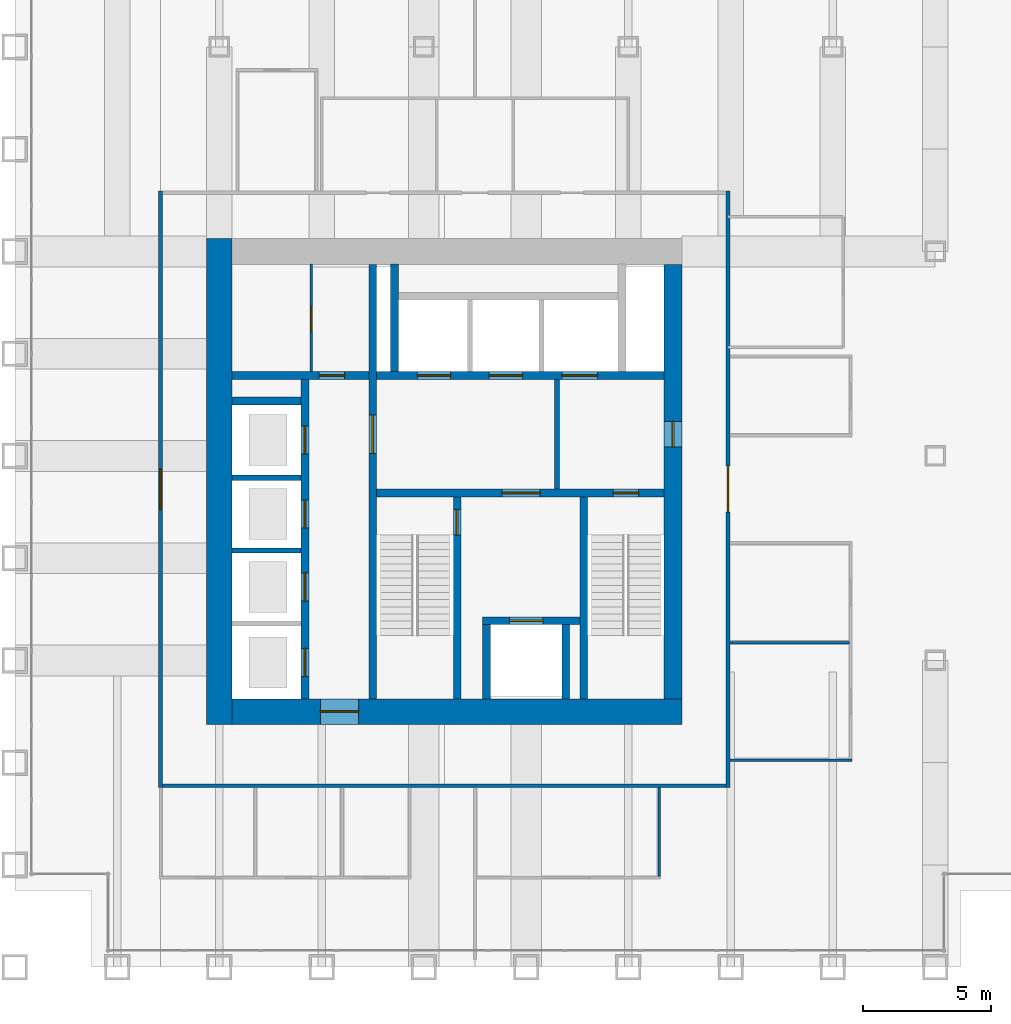
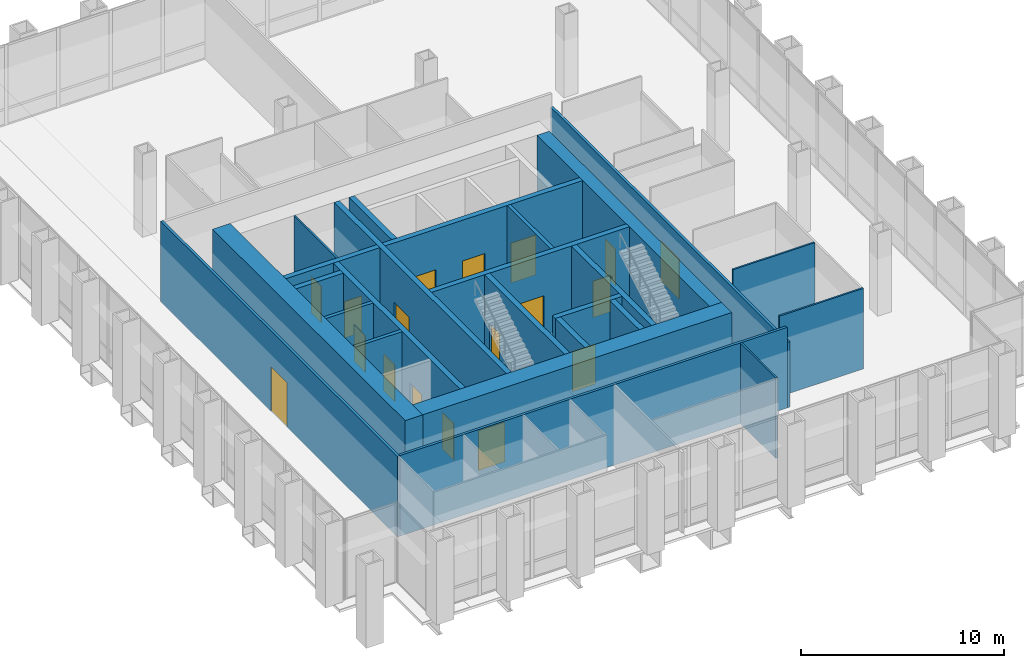
# One storey, part 10 of 13: 25 walls, 18 doors, 18 openings.
"""IFC4 building model written with IfcOpenShell, lengths in metres."""

from ifc_helpers import new_model, si_unit, direction, frame, frame_2d, origin, place, context, subcontext, project, spatial, rectangle, extrude, material, layer, layer_set, type_object, element, fill, save


model = new_model("IFC4")

# Units and contexts
model_context = context("Model", 3, precision=1e-05, world=origin(), true_north=direction((0.0, 1.0)))
body_context = subcontext(model_context, "Body", "Model", "MODEL_VIEW")
ifc_project = project(units=[si_unit("LENGTHUNIT", "METRE"), si_unit("AREAUNIT", "SQUARE_METRE"), si_unit("VOLUMEUNIT", "CUBIC_METRE"), si_unit("PLANEANGLEUNIT", "RADIAN"), si_unit("MASSUNIT", "GRAM", prefix="KILO")], contexts=[model_context])

# Site, building, storey
site_placement = place(None, origin())
site = spatial("IfcSite", under=ifc_project, at=site_placement, CompositionType="ELEMENT")
building_placement = place(site_placement, origin())
building = spatial("IfcBuilding", under=site, at=building_placement, Name="Rimbunsela Tower", CompositionType="ELEMENT")
storey_placement = place(building_placement, frame((0.0, 0.0, 209.199951171875)))
storey = spatial("IfcBuildingStorey", under=building, at=storey_placement, Name="L50", CompositionType="ELEMENT", Elevation=209.199951171875)

# Wall, opening, door
ifc_material_1 = material(Name="Concrete fc' 80 MPa", Category="concrete")
ifc_layer_1 = layer(ifc_material_1, 0.300048828125)
ifc_layer_set_1 = layer_set([ifc_layer_1], Name="Core internal wall 300")
wall_type_1 = type_object("IfcWallType", Name="Core internal wall 300", PredefinedType="SHEAR", material=ifc_layer_set_1)
wall_1_placement = place(storey_placement, frame((24.0, 18.5, -0.14990234375), z_axis=(0.0, 0.0, 1.0), x_axis=(0.0, 1.0, 0.0)))
wall_1 = element("IfcWall", 1, at=wall_1_placement, inside=storey, type_object=wall_type_1, Name="Core wall at stair A", PredefinedType="SHEAR", context=body_context, shape_type="SweptSolid", body=[
    extrude(rectangle(XDim=17.0, YDim=0.300048828125, at=frame_2d((8.5, 0.0))), origin(), (0.0, 0.0, 1.0), 5.0),
])
opening_1_placement = place(wall_1_placement, frame((9.60009765625, 0.0, 0.14990234375)))
opening_1 = element("IfcOpeningElement", 2, at=opening_1_placement, cuts=wall_1, Name="Opening D03", PredefinedType="OPENING", context=body_context, shape_type="SweptSolid", body=[
    extrude(rectangle(XDim=1.5, YDim=2.39990234375, at=frame_2d((0.75, 1.199951171875))), frame((0.0, 0.159912109375, 0.0), z_axis=(0.0, -1.0, 0.0), x_axis=(1.0, 0.0, 0.0)), (0.0, 0.0, 1.0), 0.320068359375),
])
ifc_material_2 = material(Name="Steel door, fire rated", Category="steel")
door_type_1 = type_object("IfcDoorType", Name="Core lobby door 1500", OperationType="DOUBLE_DOOR_DOUBLE_SWING", PredefinedType="DOOR", material=ifc_material_2)
door_1_placement = place(opening_1_placement, origin())
door_1 = element("IfcDoor", 3, at=door_1_placement, inside=storey, type_object=door_type_1, Name="West lobby door", OperationType="DOUBLE_DOOR_DOUBLE_SWING", OverallHeight=2.39990234375, OverallWidth=1.5, PredefinedType="DOOR", context=body_context, shape_type="SweptSolid", body=[
    extrude(rectangle(XDim=1.5, YDim=2.39990234375, at=frame_2d((0.75, 1.199951171875))), frame((0.0, 0.02490234375, 0.0), z_axis=(0.0, -1.0, 0.0), x_axis=(1.0, 0.0, 0.0)), (0.0, 0.0, 1.0), 0.050048828125),
])
fill(opening_1, door_1)

# Wall, openings, doors
wall_2_placement = place(storey_placement, frame((24.14990234375, 26.550048828125, -0.14990234375), z_axis=(0.0, 0.0, 1.0), x_axis=(1.0, 0.0, 0.0)))
wall_2 = element("IfcWall", 4, at=wall_2_placement, inside=storey, type_object=wall_type_1, Name="Core wall lobby south", PredefinedType="SHEAR", context=body_context, shape_type="SweptSolid", body=[
    extrude(rectangle(XDim=11.25, YDim=0.300048828125, at=frame_2d((5.625, 0.0))), origin(), (0.0, 0.0, 1.0), 5.0),
])
opening_2_placement = place(wall_2_placement, frame((9.25, 0.0, 0.14990234375)))
opening_2 = element("IfcOpeningElement", 5, at=opening_2_placement, cuts=wall_2, Name="Opening D01", PredefinedType="OPENING", context=body_context, shape_type="SweptSolid", body=[
    extrude(rectangle(XDim=1.0, YDim=2.199951171875, at=frame_2d((0.5, 1.10009765625))), frame((0.0, 0.159912109375, 0.0), z_axis=(0.0, -1.0, 0.0), x_axis=(1.0, 0.0, 0.0)), (0.0, 0.0, 1.0), 0.320068359375),
])
opening_3_placement = place(wall_2_placement, frame((4.89990234375, 0.0, 0.14990234375)))
opening_3 = element("IfcOpeningElement", 6, at=opening_3_placement, cuts=wall_2, Name="Opening D03", PredefinedType="OPENING", context=body_context, shape_type="SweptSolid", body=[
    extrude(rectangle(XDim=1.5, YDim=2.39990234375, at=frame_2d((0.75, 1.199951171875))), frame((0.0, 0.159912109375, 0.0), z_axis=(0.0, -1.0, 0.0), x_axis=(1.0, 0.0, 0.0)), (0.0, 0.0, 1.0), 0.320068359375),
])
door_2_placement = place(opening_3_placement, origin())
door_2 = element("IfcDoor", 7, at=door_2_placement, inside=storey, type_object=door_type_1, Name="Firefighting lobby door", OperationType="DOUBLE_DOOR_DOUBLE_SWING", OverallHeight=2.39990234375, OverallWidth=1.5, PredefinedType="DOOR", context=body_context, shape_type="SweptSolid", body=[
    extrude(rectangle(XDim=1.5, YDim=2.39990234375, at=frame_2d((0.75, 1.199951171875))), frame((0.0, 0.02490234375, 0.0), z_axis=(0.0, -1.0, 0.0), x_axis=(1.0, 0.0, 0.0)), (0.0, 0.0, 1.0), 0.050048828125),
])
fill(opening_3, door_2)
ifc_material_3 = material(Name="Steel door, fire rated", Category="steel")
door_type_2 = type_object("IfcDoorType", Name="Stair door 1000", OperationType="SINGLE_SWING_RIGHT", PredefinedType="DOOR", material=ifc_material_3)
door_3_placement = place(opening_2_placement, frame((1.0, 0.0, 0.0), z_axis=(0.0, 0.0, 1.0), x_axis=(-1.0, 0.0, 0.0)))
door_3 = element("IfcDoor", 8, at=door_3_placement, inside=storey, type_object=door_type_2, Name="Stair B door", OperationType="SINGLE_SWING_RIGHT", OverallHeight=2.199951171875, OverallWidth=1.0, PredefinedType="DOOR", context=body_context, shape_type="SweptSolid", body=[
    extrude(rectangle(XDim=1.0, YDim=2.199951171875, at=frame_2d((0.5, 1.10009765625))), frame((0.0, 0.02490234375, 0.0), z_axis=(0.0, -1.0, 0.0), x_axis=(1.0, 0.0, 0.0)), (0.0, 0.0, 1.0), 0.050048828125),
])
fill(opening_2, door_3)

# Wall, opening, door
wall_3_placement = place(storey_placement, frame((27.300048828125, 18.5, -0.14990234375), z_axis=(0.0, 0.0, 1.0), x_axis=(0.0, 1.0, 0.0)))
wall_3 = element("IfcWall", 9, at=wall_3_placement, inside=storey, type_object=wall_type_1, Name="Stair A enclosure", PredefinedType="SHEAR", context=body_context, shape_type="SweptSolid", body=[
    extrude(rectangle(XDim=7.89990234375, YDim=0.300048828125, at=frame_2d((3.949951171875, 0.0))), origin(), (0.0, 0.0, 1.0), 5.0),
])
opening_4_placement = place(wall_3_placement, frame((6.39990234375, 0.0, 0.14990234375)))
opening_4 = element("IfcOpeningElement", 10, at=opening_4_placement, cuts=wall_3, Name="Opening D01", PredefinedType="OPENING", context=body_context, shape_type="SweptSolid", body=[
    extrude(rectangle(XDim=1.0, YDim=2.199951171875, at=frame_2d((0.5, 1.10009765625))), frame((0.0, 0.159912109375, 0.0), z_axis=(0.0, -1.0, 0.0), x_axis=(1.0, 0.0, 0.0)), (0.0, 0.0, 1.0), 0.320068359375),
])
door_4_placement = place(opening_4_placement, origin())
door_4 = element("IfcDoor", 11, at=door_4_placement, inside=storey, type_object=door_type_2, Name="Stair A door", OperationType="SINGLE_SWING_RIGHT", OverallHeight=2.199951171875, OverallWidth=1.0, PredefinedType="DOOR", context=body_context, shape_type="SweptSolid", body=[
    extrude(rectangle(XDim=1.0, YDim=2.199951171875, at=frame_2d((0.5, 1.10009765625))), frame((0.0, 0.02490234375, 0.0), z_axis=(0.0, -1.0, 0.0), x_axis=(1.0, 0.0, 0.0)), (0.0, 0.0, 1.0), 0.050048828125),
])
fill(opening_4, door_4)

# Walls
wall_4_placement = place(storey_placement, frame((32.25, 18.5, -0.14990234375), z_axis=(0.0, 0.0, 1.0), x_axis=(0.0, 1.0, 0.0)))
element("IfcWall", 12, at=wall_4_placement, inside=storey, type_object=wall_type_1, Name="Stair B enclosure", PredefinedType="SHEAR", context=body_context, shape_type="SweptSolid", body=[
    extrude(rectangle(XDim=7.89990234375, YDim=0.300048828125, at=frame_2d((3.949951171875, 0.0))), origin(), (0.0, 0.0, 1.0), 5.0),
])
for number, where, z_axis, x_axis, name in (
    (13, (28.449951171875, 18.5, -0.14990234375), (0.0, 0.0, 1.0), (0.0, 1.0, 0.0), "Firefighting lift shaft west"),
    (14, (31.550048828125, 18.5, -0.14990234375), (0.0, 0.0, 1.0), (0.0, 1.0, 0.0), "Firefighting lift shaft east"),
):
    element("IfcWall", number, at=place(storey_placement, frame(where, z_axis=z_axis, x_axis=x_axis)), inside=storey, type_object=wall_type_1, Name=name, PredefinedType="SHEAR", context=body_context, shape_type="SweptSolid", body=[
        extrude(rectangle(XDim=2.89990234375, YDim=0.300048828125, at=frame_2d((1.449951171875, 0.0))), origin(), (0.0, 0.0, 1.0), 5.0),
    ])

# Wall, opening, door
wall_5_placement = place(storey_placement, frame((28.300048828125, 21.550048828125, -0.14990234375), z_axis=(0.0, 0.0, 1.0), x_axis=(1.0, 0.0, 0.0)))
wall_5 = element("IfcWall", 15, at=wall_5_placement, inside=storey, type_object=wall_type_1, Name="Firefighting lift shaft front", PredefinedType="SHEAR", context=body_context, shape_type="SweptSolid", body=[
    extrude(rectangle(XDim=3.800048828125, YDim=0.300048828125, at=frame_2d((1.89990234375, 0.0))), origin(), (0.0, 0.0, 1.0), 5.0),
])
opening_5_placement = place(wall_5_placement, frame((1.050048828125, 0.0, 0.14990234375)))
opening_5 = element("IfcOpeningElement", 16, at=opening_5_placement, cuts=wall_5, Name="Opening LD2", PredefinedType="OPENING", context=body_context, shape_type="SweptSolid", body=[
    extrude(rectangle(XDim=1.300048828125, YDim=2.39990234375, at=frame_2d((0.64990234375, 1.199951171875))), frame((0.0, 0.159912109375, 0.0), z_axis=(0.0, -1.0, 0.0), x_axis=(1.0, 0.0, 0.0)), (0.0, 0.0, 1.0), 0.320068359375),
])
ifc_material_4 = material(Name="Steel door, fire rated", Category="steel")
door_type_3 = type_object("IfcDoorType", Name="Lift landing door 1300", OperationType="DOUBLE_DOOR_SLIDING", PredefinedType="DOOR", material=ifc_material_4)
door_5_placement = place(opening_5_placement, origin())
door_5 = element("IfcDoor", 17, at=door_5_placement, inside=storey, type_object=door_type_3, Name="Lift landing door FL1", OperationType="DOUBLE_DOOR_SLIDING", OverallHeight=2.39990234375, OverallWidth=1.300048828125, PredefinedType="DOOR", context=body_context, shape_type="SweptSolid", body=[
    extrude(rectangle(XDim=1.300048828125, YDim=2.39990234375, at=frame_2d((0.64990234375, 1.199951171875))), frame((0.0, 0.02490234375, 0.0), z_axis=(0.0, -1.0, 0.0), x_axis=(1.0, 0.0, 0.0)), (0.0, 0.0, 1.0), 0.050048828125),
])
fill(opening_5, door_5)

# Wall, openings, doors
wall_6_placement = place(storey_placement, frame((24.14990234375, 31.14990234375, -0.14990234375), z_axis=(0.0, 0.0, 1.0), x_axis=(1.0, 0.0, 0.0)))
wall_6 = element("IfcWall", 18, at=wall_6_placement, inside=storey, type_object=wall_type_1, Name="Lift shaft front north", PredefinedType="SHEAR", context=body_context, shape_type="SweptSolid", body=[
    extrude(rectangle(XDim=11.25, YDim=0.300048828125, at=frame_2d((5.625, 0.0))), origin(), (0.0, 0.0, 1.0), 5.0),
])
opening_6_placement = place(wall_6_placement, frame((1.60009765625, 0.0, 0.14990234375)))
opening_6 = element("IfcOpeningElement", 19, at=opening_6_placement, cuts=wall_6, Name="Opening LD2", PredefinedType="OPENING", context=body_context, shape_type="SweptSolid", body=[
    extrude(rectangle(XDim=1.300048828125, YDim=2.39990234375, at=frame_2d((0.64990234375, 1.199951171875))), frame((0.0, 0.159912109375, 0.0), z_axis=(0.0, -1.0, 0.0), x_axis=(1.0, 0.0, 0.0)), (0.0, 0.0, 1.0), 0.320068359375),
])
opening_7_placement = place(wall_6_placement, frame((4.39990234375, 0.0, 0.14990234375)))
opening_7 = element("IfcOpeningElement", 20, at=opening_7_placement, cuts=wall_6, Name="Opening LD2", PredefinedType="OPENING", context=body_context, shape_type="SweptSolid", body=[
    extrude(rectangle(XDim=1.300048828125, YDim=2.39990234375, at=frame_2d((0.64990234375, 1.199951171875))), frame((0.0, 0.159912109375, 0.0), z_axis=(0.0, -1.0, 0.0), x_axis=(1.0, 0.0, 0.0)), (0.0, 0.0, 1.0), 0.320068359375),
])
opening_8_placement = place(wall_6_placement, frame((7.25, 0.0, 0.14990234375)))
opening_8 = element("IfcOpeningElement", 21, at=opening_8_placement, cuts=wall_6, Name="Opening LD3", PredefinedType="OPENING", context=body_context, shape_type="SweptSolid", body=[
    extrude(rectangle(XDim=1.39990234375, YDim=2.39990234375, at=frame_2d((0.699951171875, 1.199951171875))), frame((0.0, 0.159912109375, 0.0), z_axis=(0.0, -1.0, 0.0), x_axis=(1.0, 0.0, 0.0)), (0.0, 0.0, 1.0), 0.320068359375),
])
door_6_placement = place(opening_6_placement, origin())
door_6 = element("IfcDoor", 22, at=door_6_placement, inside=storey, type_object=door_type_3, Name="Lift landing door SH1", OperationType="DOUBLE_DOOR_SLIDING", OverallHeight=2.39990234375, OverallWidth=1.300048828125, PredefinedType="DOOR", context=body_context, shape_type="SweptSolid", body=[
    extrude(rectangle(XDim=1.300048828125, YDim=2.39990234375, at=frame_2d((0.64990234375, 1.199951171875))), frame((0.0, 0.02490234375, 0.0), z_axis=(0.0, -1.0, 0.0), x_axis=(1.0, 0.0, 0.0)), (0.0, 0.0, 1.0), 0.050048828125),
])
fill(opening_6, door_6)
door_7_placement = place(opening_7_placement, origin())
door_7 = element("IfcDoor", 23, at=door_7_placement, inside=storey, type_object=door_type_3, Name="Lift landing door SH2", OperationType="DOUBLE_DOOR_SLIDING", OverallHeight=2.39990234375, OverallWidth=1.300048828125, PredefinedType="DOOR", context=body_context, shape_type="SweptSolid", body=[
    extrude(rectangle(XDim=1.300048828125, YDim=2.39990234375, at=frame_2d((0.64990234375, 1.199951171875))), frame((0.0, 0.02490234375, 0.0), z_axis=(0.0, -1.0, 0.0), x_axis=(1.0, 0.0, 0.0)), (0.0, 0.0, 1.0), 0.050048828125),
])
fill(opening_7, door_7)
ifc_material_5 = material(Name="Steel door, fire rated", Category="steel")
door_type_4 = type_object("IfcDoorType", Name="Lift landing door 1400", OperationType="DOUBLE_DOOR_SLIDING", PredefinedType="DOOR", material=ifc_material_5)
door_8_placement = place(opening_8_placement, origin())
door_8 = element("IfcDoor", 24, at=door_8_placement, inside=storey, type_object=door_type_4, Name="Lift landing door FL2", OperationType="DOUBLE_DOOR_SLIDING", OverallHeight=2.39990234375, OverallWidth=1.39990234375, PredefinedType="DOOR", context=body_context, shape_type="SweptSolid", body=[
    extrude(rectangle(XDim=1.39990234375, YDim=2.39990234375, at=frame_2d((0.699951171875, 1.199951171875))), frame((0.0, 0.02490234375, 0.0), z_axis=(0.0, -1.0, 0.0), x_axis=(1.0, 0.0, 0.0)), (0.0, 0.0, 1.0), 0.050048828125),
])
fill(opening_8, door_8)

wall_7_placement = place(storey_placement, frame((21.35009765625, 18.5, -0.14990234375), z_axis=(0.0, 0.0, 1.0), x_axis=(0.0, 1.0, 0.0)))
wall_7 = element("IfcWall", 25, at=wall_7_placement, inside=storey, type_object=wall_type_1, Name="Lift shaft front west", PredefinedType="SHEAR", context=body_context, shape_type="SweptSolid", body=[
    extrude(rectangle(XDim=12.5, YDim=0.300048828125, at=frame_2d((6.25, 0.0))), origin(), (0.0, 0.0, 1.0), 5.0),
])
opening_9_placement = place(wall_7_placement, frame((0.875, 0.0, 0.14990234375)))
opening_9 = element("IfcOpeningElement", 26, at=opening_9_placement, cuts=wall_7, Name="Opening LD1", PredefinedType="OPENING", context=body_context, shape_type="SweptSolid", body=[
    extrude(rectangle(XDim=1.10009765625, YDim=2.199951171875, at=frame_2d((0.550048828125, 1.10009765625))), frame((0.0, 0.159912109375, 0.0), z_axis=(0.0, -1.0, 0.0), x_axis=(1.0, 0.0, 0.0)), (0.0, 0.0, 1.0), 0.320068359375),
])
opening_10_placement = place(wall_7_placement, frame((3.824951171875, 0.0, 0.14990234375)))
opening_10 = element("IfcOpeningElement", 27, at=opening_10_placement, cuts=wall_7, Name="Opening LD1", PredefinedType="OPENING", context=body_context, shape_type="SweptSolid", body=[
    extrude(rectangle(XDim=1.10009765625, YDim=2.199951171875, at=frame_2d((0.550048828125, 1.10009765625))), frame((0.0, 0.159912109375, 0.0), z_axis=(0.0, -1.0, 0.0), x_axis=(1.0, 0.0, 0.0)), (0.0, 0.0, 1.0), 0.320068359375),
])
opening_11_placement = place(wall_7_placement, frame((6.675048828125, 0.0, 0.14990234375)))
opening_11 = element("IfcOpeningElement", 28, at=opening_11_placement, cuts=wall_7, Name="Opening LD1", PredefinedType="OPENING", context=body_context, shape_type="SweptSolid", body=[
    extrude(rectangle(XDim=1.10009765625, YDim=2.199951171875, at=frame_2d((0.550048828125, 1.10009765625))), frame((0.0, 0.159912109375, 0.0), z_axis=(0.0, -1.0, 0.0), x_axis=(1.0, 0.0, 0.0)), (0.0, 0.0, 1.0), 0.320068359375),
])
opening_12_placement = place(wall_7_placement, frame((9.574951171875, 0.0, 0.14990234375)))
opening_12 = element("IfcOpeningElement", 29, at=opening_12_placement, cuts=wall_7, Name="Opening LD1", PredefinedType="OPENING", context=body_context, shape_type="SweptSolid", body=[
    extrude(rectangle(XDim=1.10009765625, YDim=2.199951171875, at=frame_2d((0.550048828125, 1.10009765625))), frame((0.0, 0.159912109375, 0.0), z_axis=(0.0, -1.0, 0.0), x_axis=(1.0, 0.0, 0.0)), (0.0, 0.0, 1.0), 0.320068359375),
])
ifc_material_6 = material(Name="Steel door, fire rated", Category="steel")
door_type_5 = type_object("IfcDoorType", Name="Lift landing door 1100", OperationType="DOUBLE_DOOR_SLIDING", PredefinedType="DOOR", material=ifc_material_6)
door_9_placement = place(opening_9_placement, origin())
door_9 = element("IfcDoor", 30, at=door_9_placement, inside=storey, type_object=door_type_5, Name="Lift landing door TL1", OperationType="DOUBLE_DOOR_SLIDING", OverallHeight=2.199951171875, OverallWidth=1.10009765625, PredefinedType="DOOR", context=body_context, shape_type="SweptSolid", body=[
    extrude(rectangle(XDim=1.10009765625, YDim=2.199951171875, at=frame_2d((0.550048828125, 1.10009765625))), frame((0.0, 0.02490234375, 0.0), z_axis=(0.0, -1.0, 0.0), x_axis=(1.0, 0.0, 0.0)), (0.0, 0.0, 1.0), 0.050048828125),
])
fill(opening_9, door_9)
door_10_placement = place(opening_10_placement, origin())
door_10 = element("IfcDoor", 31, at=door_10_placement, inside=storey, type_object=door_type_5, Name="Lift landing door TL2", OperationType="DOUBLE_DOOR_SLIDING", OverallHeight=2.199951171875, OverallWidth=1.10009765625, PredefinedType="DOOR", context=body_context, shape_type="SweptSolid", body=[
    extrude(rectangle(XDim=1.10009765625, YDim=2.199951171875, at=frame_2d((0.550048828125, 1.10009765625))), frame((0.0, 0.02490234375, 0.0), z_axis=(0.0, -1.0, 0.0), x_axis=(1.0, 0.0, 0.0)), (0.0, 0.0, 1.0), 0.050048828125),
])
fill(opening_10, door_10)
door_11_placement = place(opening_11_placement, origin())
door_11 = element("IfcDoor", 32, at=door_11_placement, inside=storey, type_object=door_type_5, Name="Lift landing door TL3", OperationType="DOUBLE_DOOR_SLIDING", OverallHeight=2.199951171875, OverallWidth=1.10009765625, PredefinedType="DOOR", context=body_context, shape_type="SweptSolid", body=[
    extrude(rectangle(XDim=1.10009765625, YDim=2.199951171875, at=frame_2d((0.550048828125, 1.10009765625))), frame((0.0, 0.02490234375, 0.0), z_axis=(0.0, -1.0, 0.0), x_axis=(1.0, 0.0, 0.0)), (0.0, 0.0, 1.0), 0.050048828125),
])
fill(opening_11, door_11)
door_12_placement = place(opening_12_placement, origin())
door_12 = element("IfcDoor", 33, at=door_12_placement, inside=storey, type_object=door_type_5, Name="Lift landing door TL4", OperationType="DOUBLE_DOOR_SLIDING", OverallHeight=2.199951171875, OverallWidth=1.10009765625, PredefinedType="DOOR", context=body_context, shape_type="SweptSolid", body=[
    extrude(rectangle(XDim=1.10009765625, YDim=2.199951171875, at=frame_2d((0.550048828125, 1.10009765625))), frame((0.0, 0.02490234375, 0.0), z_axis=(0.0, -1.0, 0.0), x_axis=(1.0, 0.0, 0.0)), (0.0, 0.0, 1.0), 0.050048828125),
])
fill(opening_12, door_12)

# Wall, opening, door
wall_8_placement = place(storey_placement, frame((18.5, 31.14990234375, -0.14990234375), z_axis=(0.0, 0.0, 1.0), x_axis=(1.0, 0.0, 0.0)))
wall_8 = element("IfcWall", 34, at=wall_8_placement, inside=storey, type_object=wall_type_1, Name="Store wall", PredefinedType="SHEAR", context=body_context, shape_type="SweptSolid", body=[
    extrude(rectangle(XDim=5.35009765625, YDim=0.300048828125, at=frame_2d((2.675048828125, 0.0))), origin(), (0.0, 0.0, 1.0), 5.0),
])
opening_13_placement = place(wall_8_placement, frame((3.39990234375, 0.0, 0.14990234375)))
opening_13 = element("IfcOpeningElement", 35, at=opening_13_placement, cuts=wall_8, Name="Opening D19", PredefinedType="OPENING", context=body_context, shape_type="SweptSolid", body=[
    extrude(rectangle(XDim=1.0, YDim=2.199951171875, at=frame_2d((0.5, 1.10009765625))), frame((0.0, 0.159912109375, 0.0), z_axis=(0.0, -1.0, 0.0), x_axis=(1.0, 0.0, 0.0)), (0.0, 0.0, 1.0), 0.320068359375),
])
ifc_material_7 = material(Name="Steel door, fire rated", Category="steel")
door_type_6 = type_object("IfcDoorType", Name="Service door 1000 fire rated", OperationType="SINGLE_SWING_LEFT", PredefinedType="DOOR", material=ifc_material_7)
door_13_placement = place(opening_13_placement, origin())
door_13 = element("IfcDoor", 36, at=door_13_placement, inside=storey, type_object=door_type_6, Name="Staff pantry door", OperationType="SINGLE_SWING_LEFT", OverallHeight=2.199951171875, OverallWidth=1.0, PredefinedType="DOOR", context=body_context, shape_type="SweptSolid", body=[
    extrude(rectangle(XDim=1.0, YDim=2.199951171875, at=frame_2d((0.5, 1.10009765625))), frame((0.0, 0.02490234375, 0.0), z_axis=(0.0, -1.0, 0.0), x_axis=(1.0, 0.0, 0.0)), (0.0, 0.0, 1.0), 0.050048828125),
])
fill(opening_13, door_13)

# Walls
wall_9_placement = place(storey_placement, frame((18.5, 30.14990234375, -0.14990234375), z_axis=(0.0, 0.0, 1.0), x_axis=(1.0, 0.0, 0.0)))
element("IfcWall", 37, at=wall_9_placement, inside=storey, type_object=wall_type_1, Name="Lift shaft rear west", PredefinedType="SHEAR", context=body_context, shape_type="SweptSolid", body=[
    extrude(rectangle(XDim=2.699951171875, YDim=0.300048828125, at=frame_2d((1.35009765625, 0.0))), origin(), (0.0, 0.0, 1.0), 5.0),
])
wall_10_placement = place(storey_placement, frame((24.85009765625, 31.300048828125, -0.14990234375), z_axis=(0.0, 0.0, 1.0), x_axis=(0.0, 1.0, 0.0)))
element("IfcWall", 38, at=wall_10_placement, inside=storey, type_object=wall_type_1, Name="Riser wall", PredefinedType="SHEAR", context=body_context, shape_type="SweptSolid", body=[
    extrude(rectangle(XDim=4.199951171875, YDim=0.300048828125, at=frame_2d((2.10009765625, 0.0))), origin(), (0.0, 0.0, 1.0), 5.0),
])

# Wall, opening, door
ifc_material_8 = material(Name="Concrete blockwork", Category="masonry")
ifc_layer_2 = layer(ifc_material_8, 0.10009765625)
ifc_layer_set_2 = layer_set([ifc_layer_2], Name="Core room partition 100")
wall_type_2 = type_object("IfcWallType", Name="Core room partition 100", PredefinedType="PARTITIONING", material=ifc_layer_set_2)
wall_11_placement = place(storey_placement, frame((21.60009765625, 31.300048828125, 0.0), z_axis=(0.0, 0.0, 1.0), x_axis=(0.0, 1.0, 0.0)))
wall_11 = element("IfcWall", 39, at=wall_11_placement, inside=storey, type_object=wall_type_2, Name="Housekeeping store wall", PredefinedType="PARTITIONING", context=body_context, shape_type="SweptSolid", body=[
    extrude(rectangle(XDim=4.199951171875, YDim=0.10009765625, at=frame_2d((2.10009765625, 0.0))), origin(), (0.0, 0.0, 1.0), 4.85009765625),
])
opening_14_placement = place(wall_11_placement, frame((1.550048828125, 0.0, 0.0)))
opening_14 = element("IfcOpeningElement", 40, at=opening_14_placement, cuts=wall_11, Name="Opening D19", PredefinedType="OPENING", context=body_context, shape_type="SweptSolid", body=[
    extrude(rectangle(XDim=1.0, YDim=2.199951171875, at=frame_2d((0.5, 1.10009765625))), frame((0.0, 0.06005859375, 0.0), z_axis=(0.0, -1.0, 0.0), x_axis=(1.0, 0.0, 0.0)), (0.0, 0.0, 1.0), 0.1201171875),
])
door_14_placement = place(opening_14_placement, origin())
door_14 = element("IfcDoor", 41, at=door_14_placement, inside=storey, type_object=door_type_6, Name="Housekeeping store door", OperationType="SINGLE_SWING_LEFT", OverallHeight=2.199951171875, OverallWidth=1.0, PredefinedType="DOOR", context=body_context, shape_type="SweptSolid", body=[
    extrude(rectangle(XDim=1.0, YDim=2.199951171875, at=frame_2d((0.5, 1.10009765625))), frame((0.0, 0.02490234375, 0.0), z_axis=(0.0, -1.0, 0.0), x_axis=(1.0, 0.0, 0.0)), (0.0, 0.0, 1.0), 0.050048828125),
])
fill(opening_14, door_14)

# Wall
ifc_material_9 = material(Name="Concrete fc' 80 MPa", Category="concrete")
ifc_layer_3 = layer(ifc_material_9, 1.0)
ifc_layer_set_3 = layer_set([ifc_layer_3], Name="Core wall 1000")
wall_type_3 = type_object("IfcWallType", Name="Core wall 1000", PredefinedType="SHEAR", material=ifc_layer_set_3)
wall_12_placement = place(storey_placement, frame((18.0, 17.5, -0.14990234375), z_axis=(0.0, 0.0, 1.0), x_axis=(0.0, 1.0, 0.0)))
element("IfcWall", 42, at=wall_12_placement, inside=storey, type_object=wall_type_3, Name="Core wall west", PredefinedType="SHEAR", context=body_context, shape_type="SweptSolid", body=[
    extrude(rectangle(XDim=19.0, YDim=1.0, at=frame_2d((9.5, 0.0))), origin(), (0.0, 0.0, 1.0), 5.0),
])

# Wall, opening, door
wall_13_placement = place(storey_placement, frame((18.5, 18.0, -0.14990234375), z_axis=(0.0, 0.0, 1.0), x_axis=(1.0, 0.0, 0.0)))
wall_13 = element("IfcWall", 43, at=wall_13_placement, inside=storey, type_object=wall_type_3, Name="Core wall south", PredefinedType="SHEAR", context=body_context, shape_type="SweptSolid", body=[
    extrude(rectangle(XDim=17.60009765625, YDim=1.0, at=frame_2d((8.800048828125, 0.0))), origin(), (0.0, 0.0, 1.0), 5.0),
])
opening_15_placement = place(wall_13_placement, frame((3.449951171875, 0.0, 0.14990234375)))
opening_15 = element("IfcOpeningElement", 44, at=opening_15_placement, cuts=wall_13, Name="Opening D03", PredefinedType="OPENING", context=body_context, shape_type="SweptSolid", body=[
    extrude(rectangle(XDim=1.5, YDim=2.39990234375, at=frame_2d((0.75, 1.199951171875))), frame((0.0, 0.510009765625, 0.0), z_axis=(0.0, -1.0, 0.0), x_axis=(1.0, 0.0, 0.0)), (0.0, 0.0, 1.0), 1.02001953125),
])
door_15_placement = place(opening_15_placement, origin())
door_15 = element("IfcDoor", 45, at=door_15_placement, inside=storey, type_object=door_type_1, Name="Core door south", OperationType="DOUBLE_DOOR_DOUBLE_SWING", OverallHeight=2.39990234375, OverallWidth=1.5, PredefinedType="DOOR", context=body_context, shape_type="SweptSolid", body=[
    extrude(rectangle(XDim=1.5, YDim=2.39990234375, at=frame_2d((0.75, 1.199951171875))), frame((0.0, 0.02490234375, 0.0), z_axis=(0.0, -1.0, 0.0), x_axis=(1.0, 0.0, 0.0)), (0.0, 0.0, 1.0), 0.050048828125),
])
fill(opening_15, door_15)

ifc_material_10 = material(Name="Concrete fc' 80 MPa", Category="concrete")
ifc_layer_4 = layer(ifc_material_10, 0.699951171875)
ifc_layer_set_4 = layer_set([ifc_layer_4], Name="Core wall 700 east")
wall_type_4 = type_object("IfcWallType", Name="Core wall 700 east", PredefinedType="SHEAR", material=ifc_layer_set_4)
wall_14_placement = place(storey_placement, frame((35.75, 18.5, -0.14990234375), z_axis=(0.0, 0.0, 1.0), x_axis=(0.0, 1.0, 0.0)))
wall_14 = element("IfcWall", 46, at=wall_14_placement, inside=storey, type_object=wall_type_4, Name="Core wall east", PredefinedType="SHEAR", context=body_context, shape_type="SweptSolid", body=[
    extrude(rectangle(XDim=17.0, YDim=0.699951171875, at=frame_2d((8.5, 0.0))), origin(), (0.0, 0.0, 1.0), 5.0),
])
opening_16_placement = place(wall_14_placement, frame((9.85009765625, 0.0, 0.14990234375)))
opening_16 = element("IfcOpeningElement", 47, at=opening_16_placement, cuts=wall_14, Name="Opening D01", PredefinedType="OPENING", context=body_context, shape_type="SweptSolid", body=[
    extrude(rectangle(XDim=1.0, YDim=2.199951171875, at=frame_2d((0.5, 1.10009765625))), frame((0.0, 0.35986328125, 0.0), z_axis=(0.0, -1.0, 0.0), x_axis=(1.0, 0.0, 0.0)), (0.0, 0.0, 1.0), 0.719970703125),
])
door_16_placement = place(opening_16_placement, origin())
door_16 = element("IfcDoor", 48, at=door_16_placement, inside=storey, type_object=door_type_2, Name="Firefighting lobby 2 door", OperationType="SINGLE_SWING_RIGHT", OverallHeight=2.199951171875, OverallWidth=1.0, PredefinedType="DOOR", context=body_context, shape_type="SweptSolid", body=[
    extrude(rectangle(XDim=1.0, YDim=2.199951171875, at=frame_2d((0.5, 1.10009765625))), frame((0.0, 0.02490234375, 0.0), z_axis=(0.0, -1.0, 0.0), x_axis=(1.0, 0.0, 0.0)), (0.0, 0.0, 1.0), 0.050048828125),
])
fill(opening_16, door_16)

# Walls
ifc_material_11 = material(Name="Concrete blockwork", Category="masonry")
ifc_layer_5 = layer(ifc_material_11, 0.199951171875)
ifc_layer_set_5 = layer_set([ifc_layer_5], Name="Lift shaft wall 200")
wall_type_5 = type_object("IfcWallType", Name="Lift shaft wall 200", PredefinedType="SOLIDWALL", material=ifc_layer_set_5)
for number, where, z_axis, x_axis, name in (
    (49, (18.5, 24.300048828125, -0.14990234375), (0.0, 0.0, 1.0), (1.0, 0.0, 0.0), "Lift shaft separation"),
    (50, (18.5, 27.14990234375, -0.14990234375), (0.0, 0.0, 1.0), (1.0, 0.0, 0.0), "Lift shaft separation"),
):
    element("IfcWall", number, at=place(storey_placement, frame(where, z_axis=z_axis, x_axis=x_axis)), inside=storey, type_object=wall_type_5, Name=name, PredefinedType="SOLIDWALL", context=body_context, shape_type="SweptSolid", body=[
        extrude(rectangle(XDim=2.699951171875, YDim=0.199951171875, at=frame_2d((1.35009765625, 0.0))), origin(), (0.0, 0.0, 1.0), 5.0),
    ])
wall_15_placement = place(storey_placement, frame((31.199951171875, 26.699951171875, 0.0), z_axis=(0.0, 0.0, 1.0), x_axis=(0.0, 1.0, 0.0)))
element("IfcWall", 51, at=wall_15_placement, inside=storey, type_object=wall_type_5, Name="Firefighting lobby 2 wall", PredefinedType="SOLIDWALL", context=body_context, shape_type="SweptSolid", body=[
    extrude(rectangle(XDim=4.300048828125, YDim=0.199951171875, at=frame_2d((2.14990234375, 0.0))), origin(), (0.0, 0.0, 1.0), 4.85009765625),
])
ifc_material_12 = material(Name="Gypsum board on steel studs", Category="steel")
ifc_layer_6 = layer(ifc_material_12, 0.10009765625)
ifc_layer_set_6 = layer_set([ifc_layer_6], Name="Office partition 100")
wall_type_6 = type_object("IfcWallType", Name="Office partition 100", PredefinedType="PARTITIONING", material=ifc_layer_set_6)
wall_16_placement = place(storey_placement, frame((37.97509765625, 16.10009765625, 0.0), z_axis=(0.0, 0.0, 1.0), x_axis=(1.0, 0.0, 0.0)))
element("IfcWall", 52, at=wall_16_placement, inside=storey, type_object=wall_type_6, Name="Office partition", PredefinedType="PARTITIONING", context=body_context, shape_type="SweptSolid", body=[
    extrude(rectangle(XDim=4.77490234375, YDim=0.10009765625, at=frame_2d((2.387451171875, 0.0))), origin(), (0.0, 0.0, 1.0), 4.85009765625),
])
wall_17_placement = place(storey_placement, frame((37.97509765625, 20.699951171875, 0.0), z_axis=(0.0, 0.0, 1.0), x_axis=(1.0, 0.0, 0.0)))
element("IfcWall", 53, at=wall_17_placement, inside=storey, type_object=wall_type_6, Name="Office partition", PredefinedType="PARTITIONING", context=body_context, shape_type="SweptSolid", body=[
    extrude(rectangle(XDim=4.6748046875, YDim=0.10009765625, at=frame_2d((2.33740234375, 0.0))), origin(), (0.0, 0.0, 1.0), 4.85009765625),
])
wall_18_placement = place(storey_placement, frame((35.200927734375, 11.550048828125, 0.0), z_axis=(0.0, 0.0, 1.0), x_axis=(0.0, 1.0, 0.0)))
element("IfcWall", 54, at=wall_18_placement, inside=storey, type_object=wall_type_6, Name="Office partition", PredefinedType="PARTITIONING", context=body_context, shape_type="SweptSolid", body=[
    extrude(rectangle(XDim=3.474853515625, YDim=0.10009765625, at=frame_2d((1.7373046875, 0.0))), origin(), (0.0, 0.0, 1.0), 4.85009765625),
])

# Wall, opening, door
ifc_material_13 = material(Name="Fire-rated gypsum board on steel studs, EI 60", Category="steel")
ifc_layer_7 = layer(ifc_material_13, 0.14990234375)
ifc_layer_set_7 = layer_set([ifc_layer_7], Name="Rated corridor wall 150")
wall_type_7 = type_object("IfcWallType", Name="Rated corridor wall 150", PredefinedType="PARTITIONING", material=ifc_layer_set_7)
wall_19_placement = place(storey_placement, frame((15.699951171875, 15.02490234375, 0.0), z_axis=(0.0, 0.0, 1.0), x_axis=(0.0, 1.0, 0.0)))
wall_19 = element("IfcWall", 55, at=wall_19_placement, inside=storey, type_object=wall_type_7, Name="Corridor wall west", PredefinedType="PARTITIONING", context=body_context, shape_type="SweptSolid", body=[
    extrude(rectangle(XDim=23.35009765625, YDim=0.14990234375, at=frame_2d((11.675048828125, 0.0))), origin(), (0.0, 0.0, 1.0), 4.85009765625),
])
opening_17_placement = place(wall_19_placement, frame((10.875, 0.0, 0.0)))
opening_17 = element("IfcOpeningElement", 56, at=opening_17_placement, cuts=wall_19, Name="Opening D13", PredefinedType="OPENING", context=body_context, shape_type="SweptSolid", body=[
    extrude(rectangle(XDim=1.60009765625, YDim=2.699951171875, at=frame_2d((0.800048828125, 1.35009765625))), frame((0.0, 0.0849609375, 0.0), z_axis=(0.0, -1.0, 0.0), x_axis=(1.0, 0.0, 0.0)), (0.0, 0.0, 1.0), 0.169921875),
])
ifc_material_14 = material(Name="Glazed aluminium door, fire rated", Category="aluminium")
door_type_7 = type_object("IfcDoorType", Name="Sky lobby door 1600 glazed", OperationType="DOUBLE_DOOR_DOUBLE_SWING", PredefinedType="DOOR", material=ifc_material_14)
door_17_placement = place(opening_17_placement, origin())
door_17 = element("IfcDoor", 57, at=door_17_placement, inside=storey, type_object=door_type_7, Name="Sky lobby door", OperationType="DOUBLE_DOOR_DOUBLE_SWING", OverallHeight=2.699951171875, OverallWidth=1.60009765625, PredefinedType="DOOR", context=body_context, shape_type="SweptSolid", body=[
    extrude(rectangle(XDim=1.60009765625, YDim=2.699951171875, at=frame_2d((0.800048828125, 1.35009765625))), frame((0.0, 0.02490234375, 0.0), z_axis=(0.0, -1.0, 0.0), x_axis=(1.0, 0.0, 0.0)), (0.0, 0.0, 1.0), 0.050048828125),
])
fill(opening_17, door_17)

wall_20_placement = place(storey_placement, frame((37.89990234375, 15.02490234375, 0.0), z_axis=(0.0, 0.0, 1.0), x_axis=(0.0, 1.0, 0.0)))
wall_20 = element("IfcWall", 58, at=wall_20_placement, inside=storey, type_object=wall_type_7, Name="Corridor wall east", PredefinedType="PARTITIONING", context=body_context, shape_type="SweptSolid", body=[
    extrude(rectangle(XDim=23.35009765625, YDim=0.14990234375, at=frame_2d((11.675048828125, 0.0))), origin(), (0.0, 0.0, 1.0), 3.949951171875),
])
opening_18_placement = place(wall_20_placement, frame((10.77490234375, 0.0, 0.0)))
opening_18 = element("IfcOpeningElement", 59, at=opening_18_placement, cuts=wall_20, Name="Opening D09", PredefinedType="OPENING", context=body_context, shape_type="SweptSolid", body=[
    extrude(rectangle(XDim=1.800048828125, YDim=2.39990234375, at=frame_2d((0.89990234375, 1.199951171875))), frame((0.0, 0.0849609375, 0.0), z_axis=(0.0, -1.0, 0.0), x_axis=(1.0, 0.0, 0.0)), (0.0, 0.0, 1.0), 0.169921875),
])
ifc_material_15 = material(Name="Glazed aluminium door, fire rated", Category="aluminium")
door_type_8 = type_object("IfcDoorType", Name="Tenancy door 1800 glazed", OperationType="DOUBLE_DOOR_DOUBLE_SWING", PredefinedType="DOOR", material=ifc_material_15)
door_18_placement = place(opening_18_placement, origin())
door_18 = element("IfcDoor", 60, at=door_18_placement, inside=storey, type_object=door_type_8, Name="Tenancy door", OperationType="DOUBLE_DOOR_DOUBLE_SWING", OverallHeight=2.39990234375, OverallWidth=1.800048828125, PredefinedType="DOOR", context=body_context, shape_type="SweptSolid", body=[
    extrude(rectangle(XDim=1.800048828125, YDim=2.39990234375, at=frame_2d((0.89990234375, 1.199951171875))), frame((0.0, 0.02490234375, 0.0), z_axis=(0.0, -1.0, 0.0), x_axis=(1.0, 0.0, 0.0)), (0.0, 0.0, 1.0), 0.050048828125),
])
fill(opening_18, door_18)

# Wall
wall_21_placement = place(storey_placement, frame((15.77490234375, 15.10009765625, 0.0), z_axis=(0.0, 0.0, 1.0), x_axis=(1.0, 0.0, 0.0)))
element("IfcWall", 61, at=wall_21_placement, inside=storey, type_object=wall_type_7, Name="Corridor wall south", PredefinedType="PARTITIONING", context=body_context, shape_type="SweptSolid", body=[
    extrude(rectangle(XDim=22.050048828125, YDim=0.14990234375, at=frame_2d((11.02490234375, 0.0))), origin(), (0.0, 0.0, 1.0), 4.85009765625),
])

save(model, "model.ifc")
